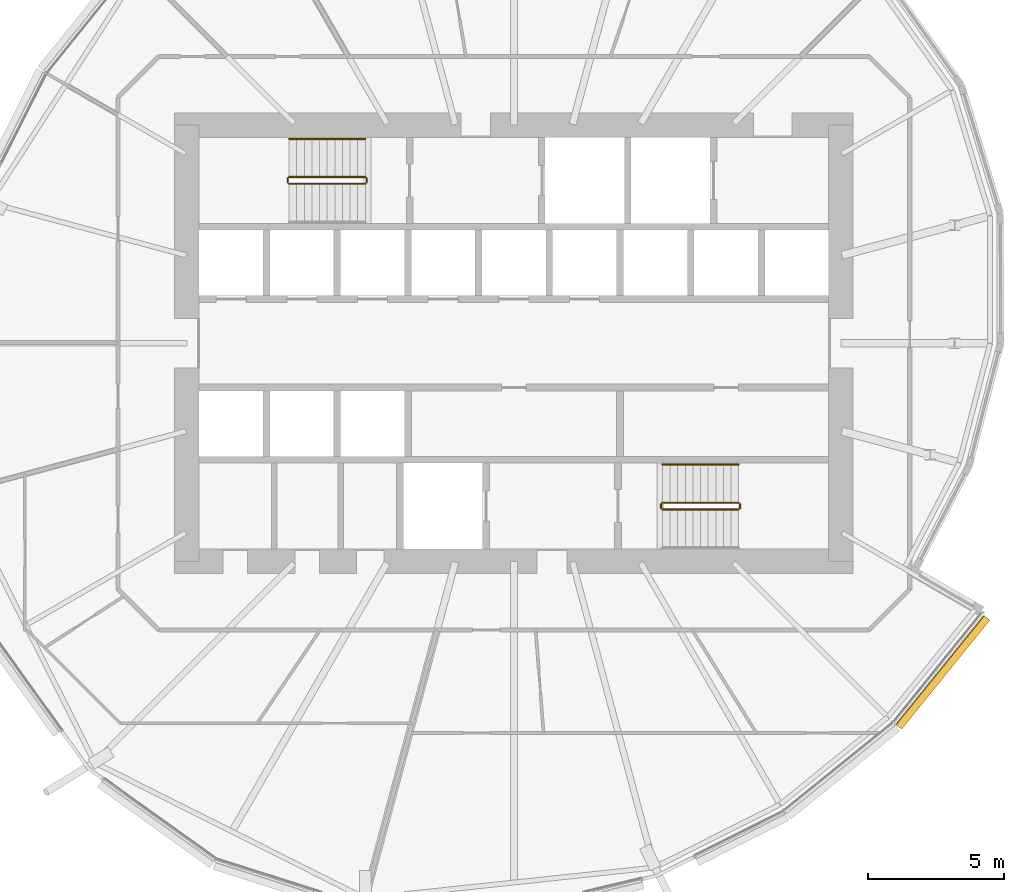
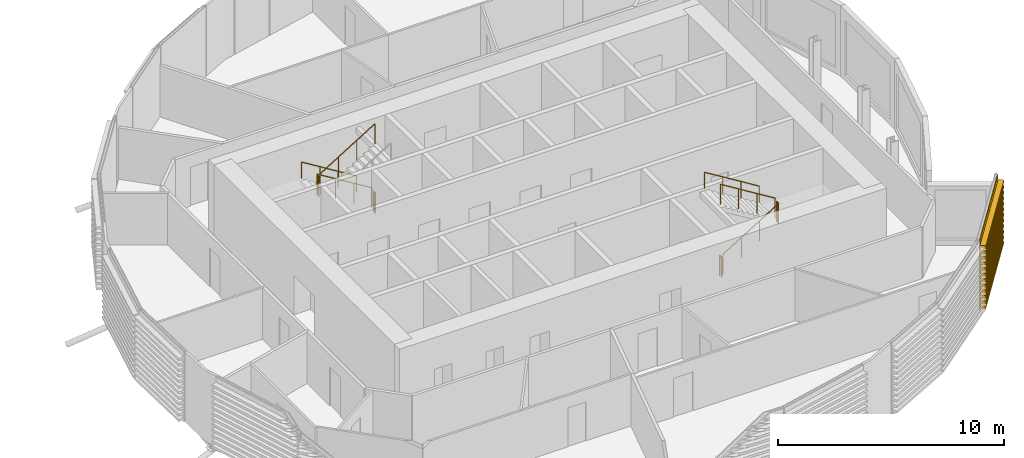
# One storey, part 35 of 36: 10 railings, 1 covering.
"""IFC4 building model written with IfcOpenShell, lengths in metres."""

from ifc_helpers import new_model, si_unit, direction, frame, origin, origin_2d, place, context, subcontext, project, spatial, polyline, circle, outline, extrude, material, material_profile, profile_set, type_object, element, save


model = new_model("IFC4")

# Units and contexts
model_context = context("Model", 3, precision=1e-05, world=origin(), true_north=direction((0.0, 1.0)))
body_context = subcontext(model_context, "Body", "Model", "MODEL_VIEW")
ifc_project = project(units=[si_unit("LENGTHUNIT", "METRE"), si_unit("AREAUNIT", "SQUARE_METRE"), si_unit("VOLUMEUNIT", "CUBIC_METRE"), si_unit("PLANEANGLEUNIT", "RADIAN"), si_unit("MASSUNIT", "GRAM", prefix="KILO")], contexts=[model_context])

# Site, building, storey
site_placement = place(None, origin())
site = spatial("IfcSite", under=ifc_project, at=site_placement, CompositionType="ELEMENT")
building_placement = place(site_placement, origin())
building = spatial("IfcBuilding", under=site, at=building_placement, Name="Rimbun Link Towers", CompositionType="ELEMENT")
storey_placement = place(building_placement, frame((0.0, 0.0, 33.800048828125)))
storey = spatial("IfcBuildingStorey", under=building, at=storey_placement, Name="L07", CompositionType="ELEMENT", Elevation=33.800048828125)

# Railings
ifc_material_1 = material(Name="Stainless steel grade 316", Category="steel")
railing_type_1 = type_object("IfcRailingType", Name="Stair guard", PredefinedType="GUARDRAIL", material=ifc_material_1)
railing_1_placement = place(storey_placement, frame((26.300048828125, 6.10009765625, 0.172607421875)))
element("IfcRailing", 1, at=railing_1_placement, inside=storey, type_object=railing_type_1, Name="L07 ST3 stair guard 1", PredefinedType="GUARDRAIL", context=body_context, shape_type="SweptSolid", body=[
    extrude(circle(Radius=0.02392578125, at=origin_2d()), frame((0.0, 0.0, 1.076171875), z_axis=(-0.851089632645, 0.0, 0.525020415988), x_axis=(0.0, -1.0, 0.0)), (0.0, 0.0, 1.0), 3.2900390625),
    extrude(circle(Radius=0.02099609375, at=origin_2d()), origin(), (0.0, 0.0, 1.0), 1.052001953125),
    extrude(circle(Radius=0.02099609375, at=origin_2d()), frame((-0.933349609375, 0.0, 0.57568359375)), (0.0, 0.0, 1.0), 1.052001953125),
    extrude(circle(Radius=0.02099609375, at=origin_2d()), frame((-1.86669921875, 0.0, 1.151611328125)), (0.0, 0.0, 1.0), 1.052001953125),
    extrude(circle(Radius=0.02099609375, at=origin_2d()), frame((-2.800048828125, 0.0, 1.727294921875)), (0.0, 0.0, 1.0), 1.052001953125),
])
railing_2_placement = place(storey_placement, frame((23.449951171875, 6.050048828125, 1.89990234375)))
element("IfcRailing", 2, at=railing_2_placement, inside=storey, type_object=railing_type_1, Name="L07 ST3 stair guard 2", PredefinedType="GUARDRAIL", context=body_context, shape_type="SweptSolid", body=[
    extrude(circle(Radius=0.02392578125, at=origin_2d()), frame((0.0, 0.0, 1.076171875), z_axis=(0.0, -1.0, 0.0), x_axis=(1.0, 0.0, 0.0)), (0.0, 0.0, 1.0), 0.150146484375),
    extrude(circle(Radius=0.02099609375, at=origin_2d()), origin(), (0.0, 0.0, 1.0), 1.052001953125),
    extrude(circle(Radius=0.02099609375, at=origin_2d()), frame((0.0, -0.150146484375, 0.0)), (0.0, 0.0, 1.0), 1.052001953125),
])
railing_3_placement = place(storey_placement, frame((23.5, 5.85009765625, 2.07275390625)))
element("IfcRailing", 3, at=railing_3_placement, inside=storey, type_object=railing_type_1, Name="L07 ST3 stair guard 3", PredefinedType="GUARDRAIL", context=body_context, shape_type="SweptSolid", body=[
    extrude(circle(Radius=0.02392578125, at=origin_2d()), frame((0.0, 0.0, 1.076171875), z_axis=(0.851089632645, 0.0, 0.525020415988), x_axis=(0.0, 1.0, 0.0)), (0.0, 0.0, 1.0), 3.2900390625),
    extrude(circle(Radius=0.02099609375, at=origin_2d()), origin(), (0.0, 0.0, 1.0), 1.052001953125),
    extrude(circle(Radius=0.02099609375, at=origin_2d()), frame((0.933349609375, 0.0, 0.57568359375)), (0.0, 0.0, 1.0), 1.052001953125),
    extrude(circle(Radius=0.02099609375, at=origin_2d()), frame((1.86669921875, 0.0, 1.151611328125)), (0.0, 0.0, 1.0), 1.052001953125),
    extrude(circle(Radius=0.02099609375, at=origin_2d()), frame((2.800048828125, 0.0, 1.727294921875)), (0.0, 0.0, 1.0), 1.052001953125),
])
railing_4_placement = place(storey_placement, frame((26.35009765625, 6.050048828125, 0.0)))
element("IfcRailing", 4, at=railing_4_placement, inside=storey, type_object=railing_type_1, Name="L07 ST3 stair guard 4", PredefinedType="GUARDRAIL", context=body_context, shape_type="SweptSolid", body=[
    extrude(circle(Radius=0.02392578125, at=origin_2d()), frame((0.0, 0.0, 1.076171875), z_axis=(0.0, -1.0, 0.0), x_axis=(1.0, 0.0, 0.0)), (0.0, 0.0, 1.0), 0.150146484375),
    extrude(circle(Radius=0.02099609375, at=origin_2d()), origin(), (0.0, 0.0, 1.0), 1.052001953125),
    extrude(circle(Radius=0.02099609375, at=origin_2d()), frame((0.0, -0.150146484375, 0.0)), (0.0, 0.0, 1.0), 1.052001953125),
])
railing_5_placement = place(storey_placement, frame((37.199951171875, -6.10009765625, 0.172607421875)))
element("IfcRailing", 5, at=railing_5_placement, inside=storey, type_object=railing_type_1, Name="L07 ST4 stair guard 1", PredefinedType="GUARDRAIL", context=body_context, shape_type="SweptSolid", body=[
    extrude(circle(Radius=0.02392578125, at=origin_2d()), frame((0.0, 0.0, 1.076171875), z_axis=(0.851089632645, 0.0, 0.525020415988), x_axis=(0.0, 1.0, 0.0)), (0.0, 0.0, 1.0), 3.2900390625),
    extrude(circle(Radius=0.02099609375, at=origin_2d()), origin(), (0.0, 0.0, 1.0), 1.052001953125),
    extrude(circle(Radius=0.02099609375, at=origin_2d()), frame((0.933349609375, 0.0, 0.57568359375)), (0.0, 0.0, 1.0), 1.052001953125),
    extrude(circle(Radius=0.02099609375, at=origin_2d()), frame((1.86669921875, 0.0, 1.151611328125)), (0.0, 0.0, 1.0), 1.052001953125),
    extrude(circle(Radius=0.02099609375, at=origin_2d()), frame((2.800048828125, 0.0, 1.727294921875)), (0.0, 0.0, 1.0), 1.052001953125),
])
railing_6_placement = place(storey_placement, frame((40.050048828125, -6.050048828125, 1.89990234375)))
element("IfcRailing", 6, at=railing_6_placement, inside=storey, type_object=railing_type_1, Name="L07 ST4 stair guard 2", PredefinedType="GUARDRAIL", context=body_context, shape_type="SweptSolid", body=[
    extrude(circle(Radius=0.02392578125, at=origin_2d()), frame((0.0, 0.0, 1.076171875), z_axis=(0.0, 1.0, 0.0), x_axis=(-1.0, 0.0, 0.0)), (0.0, 0.0, 1.0), 0.150146484375),
    extrude(circle(Radius=0.02099609375, at=origin_2d()), origin(), (0.0, 0.0, 1.0), 1.052001953125),
    extrude(circle(Radius=0.02099609375, at=origin_2d()), frame((0.0, 0.150146484375, 0.0)), (0.0, 0.0, 1.0), 1.052001953125),
])
railing_7_placement = place(storey_placement, frame((40.0, -5.85009765625, 2.07275390625)))
element("IfcRailing", 7, at=railing_7_placement, inside=storey, type_object=railing_type_1, Name="L07 ST4 stair guard 3", PredefinedType="GUARDRAIL", context=body_context, shape_type="SweptSolid", body=[
    extrude(circle(Radius=0.02392578125, at=origin_2d()), frame((0.0, 0.0, 1.076171875), z_axis=(-0.851089632645, 0.0, 0.525020415988), x_axis=(0.0, -1.0, 0.0)), (0.0, 0.0, 1.0), 3.2900390625),
    extrude(circle(Radius=0.02099609375, at=origin_2d()), origin(), (0.0, 0.0, 1.0), 1.052001953125),
    extrude(circle(Radius=0.02099609375, at=origin_2d()), frame((-0.933349609375, 0.0, 0.57568359375)), (0.0, 0.0, 1.0), 1.052001953125),
    extrude(circle(Radius=0.02099609375, at=origin_2d()), frame((-1.86669921875, 0.0, 1.151611328125)), (0.0, 0.0, 1.0), 1.052001953125),
    extrude(circle(Radius=0.02099609375, at=origin_2d()), frame((-2.800048828125, 0.0, 1.727294921875)), (0.0, 0.0, 1.0), 1.052001953125),
])
railing_8_placement = place(storey_placement, frame((37.14990234375, -6.050048828125, 0.0)))
element("IfcRailing", 8, at=railing_8_placement, inside=storey, type_object=railing_type_1, Name="L07 ST4 stair guard 4", PredefinedType="GUARDRAIL", context=body_context, shape_type="SweptSolid", body=[
    extrude(circle(Radius=0.02392578125, at=origin_2d()), frame((0.0, 0.0, 1.076171875), z_axis=(0.0, 1.0, 0.0), x_axis=(-1.0, 0.0, 0.0)), (0.0, 0.0, 1.0), 0.150146484375),
    extrude(circle(Radius=0.02099609375, at=origin_2d()), origin(), (0.0, 0.0, 1.0), 1.052001953125),
    extrude(circle(Radius=0.02099609375, at=origin_2d()), frame((0.0, 0.150146484375, 0.0)), (0.0, 0.0, 1.0), 1.052001953125),
])
ifc_material_2 = material(Name="Stainless steel grade 316", Category="steel")
railing_type_2 = type_object("IfcRailingType", Name="Stair handrail", PredefinedType="HANDRAIL", material=ifc_material_2)
for number, where, name in (
    (9, (26.300048828125, 7.5, 0.172607421875), "L07 ST3 stair handrail 1"),
    (10, (40.0, -4.449951171875, 2.07275390625), "L07 ST4 stair handrail 2"),
):
    element("IfcRailing", number, at=place(storey_placement, frame(where)), inside=storey, type_object=railing_type_2, Name=name, PredefinedType="HANDRAIL", context=body_context, shape_type="SweptSolid", body=[
        extrude(circle(Radius=0.02392578125, at=origin_2d()), frame((0.0, 0.0, 0.8759765625), z_axis=(-0.851089632645, 0.0, 0.525020415988), x_axis=(0.0, -1.0, 0.0)), (0.0, 0.0, 1.0), 3.2900390625),
        extrude(circle(Radius=0.02099609375, at=origin_2d()), origin(), (0.0, 0.0, 1.0), 0.851806640625),
        extrude(circle(Radius=0.02099609375, at=origin_2d()), frame((-0.933349609375, 0.0, 0.57568359375)), (0.0, 0.0, 1.0), 0.851806640625),
        extrude(circle(Radius=0.02099609375, at=origin_2d()), frame((-1.86669921875, 0.0, 1.151611328125)), (0.0, 0.0, 1.0), 0.851806640625),
        extrude(circle(Radius=0.02099609375, at=origin_2d()), frame((-2.800048828125, 0.0, 1.727294921875)), (0.0, 0.0, 1.0), 0.851806640625),
    ])

# Covering
ifc_material_3 = material(Name="Terracotta", Category="masonry")
ifc_material_profile = material_profile(ifc_material_3, outline(polyline([(0.123046875, 0.0), (0.1630859375, 0.0), (0.1630859375, 0.10009765625), (0.423095703125, 0.10009765625), (0.423095703125, 0.219970703125), (0.1630859375, 0.219970703125), (0.1630859375, 0.39990234375), (0.423095703125, 0.39990234375), (0.423095703125, 0.52001953125), (0.1630859375, 0.52001953125), (0.1630859375, 0.699951171875), (0.423095703125, 0.699951171875), (0.423095703125, 0.820068359375), (0.1630859375, 0.820068359375), (0.1630859375, 1.0), (0.423095703125, 1.0), (0.423095703125, 1.1201171875), (0.1630859375, 1.1201171875), (0.1630859375, 1.300048828125), (0.423095703125, 1.300048828125), (0.423095703125, 1.419921875), (0.1630859375, 1.419921875), (0.1630859375, 1.60009765625), (0.423095703125, 1.60009765625), (0.423095703125, 1.719970703125), (0.1630859375, 1.719970703125), (0.1630859375, 1.89990234375), (0.423095703125, 1.89990234375), (0.423095703125, 2.02001953125), (0.1630859375, 2.02001953125), (0.1630859375, 2.199951171875), (0.423095703125, 2.199951171875), (0.423095703125, 2.320068359375), (0.1630859375, 2.320068359375), (0.1630859375, 2.5), (0.423095703125, 2.5), (0.423095703125, 2.6201171875), (0.1630859375, 2.6201171875), (0.1630859375, 2.800048828125), (0.423095703125, 2.800048828125), (0.423095703125, 2.919921875), (0.1630859375, 2.919921875), (0.1630859375, 3.10009765625), (0.423095703125, 3.10009765625), (0.423095703125, 3.219970703125), (0.1630859375, 3.219970703125), (0.1630859375, 3.39990234375), (0.423095703125, 3.39990234375), (0.423095703125, 3.52001953125), (0.1630859375, 3.52001953125), (0.1630859375, 3.800048828125), (0.123046875, 3.800048828125), (0.123046875, 0.0)])), Name="BAGUETTE 120X300")
ifc_profile_set = profile_set([ifc_material_profile], Name="Terracotta")
covering_type = type_object("IfcCoveringType", Name="TERRACOTTA BAGUETTE 120X300 H3800", PredefinedType="CLADDING", material=ifc_profile_set)
covering_placement = place(storey_placement, frame((48.8876953125, -9.89453125, 0.0), z_axis=(-0.629119129565, -0.777308896653, 0.0), x_axis=(0.777308896653, -0.629119129565, 0.0)))
element("IfcCovering", 11, at=covering_placement, inside=storey, type_object=covering_type, Name="TERRACOTTA BAGUETTE", PredefinedType="CLADDING", context=body_context, shape_type="SweptSolid", body=[
    extrude(outline(polyline([(0.123046875, 0.0), (0.1630859375, 0.0), (0.1630859375, 0.10009765625), (0.423095703125, 0.10009765625), (0.423095703125, 0.219970703125), (0.1630859375, 0.219970703125), (0.1630859375, 0.39990234375), (0.423095703125, 0.39990234375), (0.423095703125, 0.52001953125), (0.1630859375, 0.52001953125), (0.1630859375, 0.699951171875), (0.423095703125, 0.699951171875), (0.423095703125, 0.820068359375), (0.1630859375, 0.820068359375), (0.1630859375, 1.0), (0.423095703125, 1.0), (0.423095703125, 1.1201171875), (0.1630859375, 1.1201171875), (0.1630859375, 1.300048828125), (0.423095703125, 1.300048828125), (0.423095703125, 1.419921875), (0.1630859375, 1.419921875), (0.1630859375, 1.60009765625), (0.423095703125, 1.60009765625), (0.423095703125, 1.719970703125), (0.1630859375, 1.719970703125), (0.1630859375, 1.89990234375), (0.423095703125, 1.89990234375), (0.423095703125, 2.02001953125), (0.1630859375, 2.02001953125), (0.1630859375, 2.199951171875), (0.423095703125, 2.199951171875), (0.423095703125, 2.320068359375), (0.1630859375, 2.320068359375), (0.1630859375, 2.5), (0.423095703125, 2.5), (0.423095703125, 2.6201171875), (0.1630859375, 2.6201171875), (0.1630859375, 2.800048828125), (0.423095703125, 2.800048828125), (0.423095703125, 2.919921875), (0.1630859375, 2.919921875), (0.1630859375, 3.10009765625), (0.423095703125, 3.10009765625), (0.423095703125, 3.219970703125), (0.1630859375, 3.219970703125), (0.1630859375, 3.39990234375), (0.423095703125, 3.39990234375), (0.423095703125, 3.52001953125), (0.1630859375, 3.52001953125), (0.1630859375, 3.800048828125), (0.123046875, 3.800048828125), (0.123046875, 0.0)])), origin(), (0.0, 0.0, 1.0), 5.150146484375),
])

save(model, "model.ifc")
